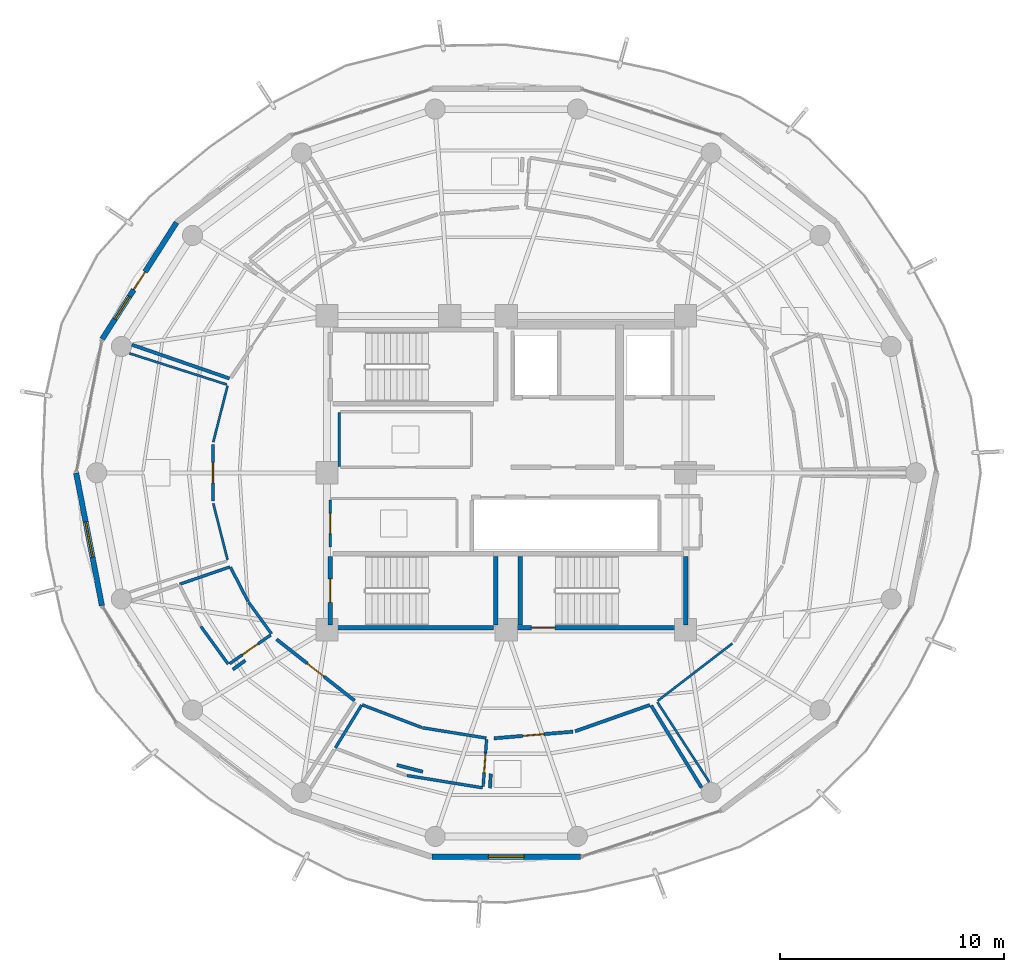
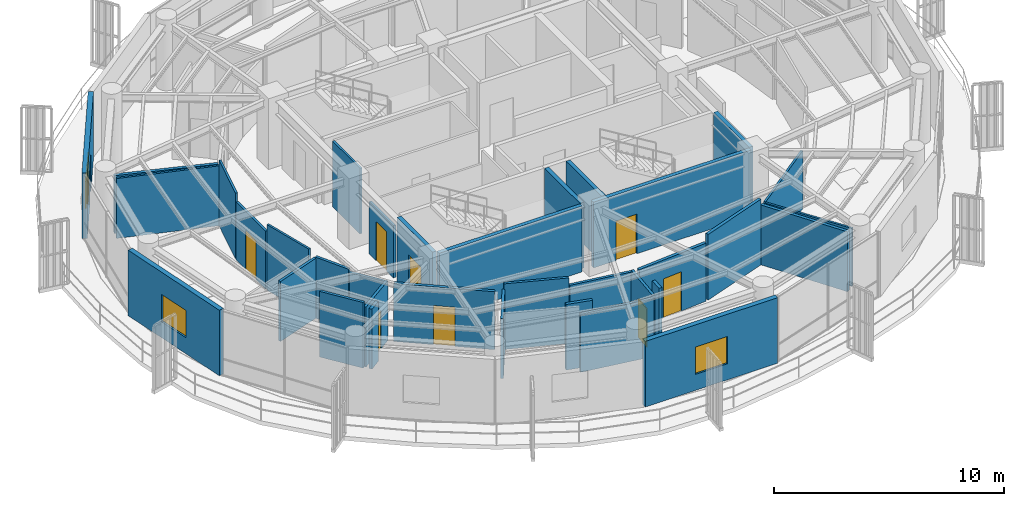
# One storey, part 15 of 22: 35 walls, 9 doors, 3 windows, 12 openings.
"""IFC4 building model written with IfcOpenShell, lengths in metres."""

from ifc_helpers import new_model, si_unit, direction, frame, frame_2d, origin, place, context, subcontext, project, spatial, rectangle, extrude, material, layer, layer_set, type_object, element, fill, save


model = new_model("IFC4")

# Units and contexts
model_context = context("Model", 3, precision=1e-05, world=origin(), true_north=direction((0.0, 1.0)))
body_context = subcontext(model_context, "Body", "Model", "MODEL_VIEW")
ifc_project = project(units=[si_unit("LENGTHUNIT", "METRE"), si_unit("AREAUNIT", "SQUARE_METRE"), si_unit("VOLUMEUNIT", "CUBIC_METRE"), si_unit("PLANEANGLEUNIT", "RADIAN"), si_unit("MASSUNIT", "GRAM", prefix="KILO")], contexts=[model_context])

# Site, building, storey
site_placement = place(None, origin())
site = spatial("IfcSite", under=ifc_project, at=site_placement, CompositionType="ELEMENT")
building_placement = place(site_placement, origin())
building = spatial("IfcBuilding", under=site, at=building_placement, Name="Kelanora Arch Commons", CompositionType="ELEMENT")
storey_placement = place(building_placement, frame((0.0, 0.0, 271.199951171875)))
storey = spatial("IfcBuildingStorey", under=building, at=storey_placement, Name="L69", CompositionType="ELEMENT", Elevation=271.199951171875)

# Wall, opening, door
ifc_material_1 = material(Name="Autoclaved aerated concrete blockwork with fire plaster", Category="masonry")
ifc_layer_1 = layer(ifc_material_1, 0.14990234375)
ifc_layer_set_1 = layer_set([ifc_layer_1], Name="Autoclaved aerated concrete blockwork with fire plaster")
wall_type_1 = type_object("IfcWallType", Name="W-COMP-150", PredefinedType="PARTITIONING", material=ifc_layer_set_1)
wall_1_placement = place(storey_placement, frame((63.7451171875, 50.56787109375, 0.0), z_axis=(0.0, 0.0, 1.0), x_axis=(0.786354671358, -0.617775307724, 0.0)))
wall_1 = element("IfcWall", 1, at=wall_1_placement, inside=storey, type_object=wall_type_1, Name="Co-Living Studio L69-04 Entry Partition", PredefinedType="PARTITIONING", context=body_context, shape_type="SweptSolid", body=[
    extrude(rectangle(XDim=4.43017578125, YDim=0.14990234375, at=frame_2d((2.215087890625, 0.0))), origin(), (0.0, 0.0, 1.0), 3.074951171875),
])
opening_1_placement = place(wall_1_placement, frame((1.739990234375, 0.0, 0.0)))
opening_1 = element("IfcOpeningElement", 2, at=opening_1_placement, cuts=wall_1, Name="Opening D-CLU1", PredefinedType="OPENING", context=body_context, shape_type="SweptSolid", body=[
    extrude(rectangle(XDim=0.949951171875, YDim=2.080078125, at=frame_2d((0.47509765625, 1.0400390625))), frame((0.0, 0.0849609375, 0.0), z_axis=(0.0, -1.0, 0.0), x_axis=(1.0, 0.0, 0.0)), (0.0, 0.0, 1.0), 0.169921875),
])
ifc_material_2 = material(Name="Solid-core acoustic timber cluster entry fire door", Category="wood")
door_type_1 = type_object("IfcDoorType", Name="D-CLU-95", OperationType="NOTDEFINED", PredefinedType="DOOR", material=ifc_material_2)
door_1_placement = place(opening_1_placement, origin())
door_1 = element("IfcDoor", 3, at=door_1_placement, inside=storey, type_object=door_type_1, Name="Co-Living Studio L69-04 Door", OperationType="SINGLE_SWING_RIGHT", OverallHeight=2.080078125, OverallWidth=0.949951171875, PredefinedType="DOOR", context=body_context, shape_type="SweptSolid", body=[
    extrude(rectangle(XDim=0.949951171875, YDim=2.080078125, at=frame_2d((0.47509765625, 1.0400390625))), frame((0.0, 0.02490234375, 0.0), z_axis=(0.0, -1.0, 0.0), x_axis=(1.0, 0.0, 0.0)), (0.0, 0.0, 1.0), 0.050048828125),
])
fill(opening_1, door_1)

wall_2_placement = place(storey_placement, frame((73.44677734375, 46.14794921875, 0.0), z_axis=(0.0, 0.0, 1.0), x_axis=(0.996494196011, 0.083661922741, 0.0)))
wall_2 = element("IfcWall", 4, at=wall_2_placement, inside=storey, type_object=wall_type_1, Name="Co-Living Studio L69-05 Entry Partition", PredefinedType="PARTITIONING", context=body_context, shape_type="SweptSolid", body=[
    extrude(rectangle(XDim=3.539794921875, YDim=0.14990234375, at=frame_2d((1.77001953125, 0.0))), origin(), (0.0, 0.0, 1.0), 3.074951171875),
])
opening_2_placement = place(wall_2_placement, frame((1.294921875, 0.0, 0.0)))
opening_2 = element("IfcOpeningElement", 5, at=opening_2_placement, cuts=wall_2, Name="Opening D-CLU1", PredefinedType="OPENING", context=body_context, shape_type="SweptSolid", body=[
    extrude(rectangle(XDim=0.949951171875, YDim=2.080078125, at=frame_2d((0.47509765625, 1.0400390625))), frame((0.0, 0.0849609375, 0.0), z_axis=(0.0, -1.0, 0.0), x_axis=(1.0, 0.0, 0.0)), (0.0, 0.0, 1.0), 0.169921875),
])
door_2_placement = place(opening_2_placement, origin())
door_2 = element("IfcDoor", 6, at=door_2_placement, inside=storey, type_object=door_type_1, Name="Co-Living Studio L69-05 Door", OperationType="SINGLE_SWING_RIGHT", OverallHeight=2.080078125, OverallWidth=0.949951171875, PredefinedType="DOOR", context=body_context, shape_type="SweptSolid", body=[
    extrude(rectangle(XDim=0.949951171875, YDim=2.080078125, at=frame_2d((0.47509765625, 1.0400390625))), frame((0.0, 0.02490234375, 0.0), z_axis=(0.0, -1.0, 0.0), x_axis=(1.0, 0.0, 0.0)), (0.0, 0.0, 1.0), 0.050048828125),
])
fill(opening_2, door_2)

# Walls
wall_3_placement = place(storey_placement, frame((61.64208984375, 62.208984375, 0.0), z_axis=(0.0, 0.0, 1.0), x_axis=(-0.945103281494, 0.326771766388, 0.0)))
element("IfcWall", 7, at=wall_3_placement, inside=storey, type_object=wall_type_1, Name="Co-Living Studio L69-02 Enclosure Partition 2", PredefinedType="PARTITIONING", context=body_context, shape_type="SweptSolid", body=[
    extrude(rectangle(XDim=4.603759765625, YDim=0.14990234375, at=frame_2d((2.3017578125, 0.0))), origin(), (0.0, 0.0, 1.0), 3.074951171875),
])
wall_4_placement = place(storey_placement, frame((61.79541015625, 49.218505859375, 0.0), z_axis=(0.0, 0.0, 1.0), x_axis=(0.808091885227, 0.589056453178, 0.0)))
element("IfcWall", 8, at=wall_4_placement, inside=storey, type_object=wall_type_1, Name="Co-Living Studio L69-04 Enclosure Partition 7", PredefinedType="PARTITIONING", context=body_context, shape_type="SweptSolid", body=[
    extrude(rectangle(XDim=0.688720703125, YDim=0.14990234375, at=frame_2d((0.34423828125, 0.0))), origin(), (0.0, 0.0, 1.0), 3.175048828125),
])
wall_5_placement = place(storey_placement, frame((77.07177734375, 46.46240234375, 0.0), z_axis=(0.0, 0.0, 1.0), x_axis=(0.943334007166, 0.331844769319, 0.0)))
element("IfcWall", 9, at=wall_5_placement, inside=storey, type_object=wall_type_1, Name="Co-Living Studio L69-05 Enclosure Partition 2", PredefinedType="PARTITIONING", context=body_context, shape_type="SweptSolid", body=[
    extrude(rectangle(XDim=3.535888671875, YDim=0.14990234375, at=frame_2d((1.76806640625, 0.0))), origin(), (0.0, 0.0, 1.0), 3.47998046875),
])
wall_6_placement = place(storey_placement, frame((80.4658203125, 47.614990234375, 0.0), z_axis=(0.0, 0.0, 1.0), x_axis=(0.522784059663, -0.852465147066, 0.0)))
element("IfcWall", 10, at=wall_6_placement, inside=storey, type_object=wall_type_1, Name="Co-Living Studio L69-05 Enclosure Partition 3", PredefinedType="PARTITIONING", context=body_context, shape_type="SweptSolid", body=[
    extrude(rectangle(XDim=4.30615234375, YDim=0.14990234375, at=frame_2d((2.153076171875, 0.0))), origin(), (0.0, 0.0, 1.0), 3.175048828125),
])
wall_7_placement = place(storey_placement, frame((69.117431640625, 44.956298828125, 0.0), z_axis=(0.0, 0.0, 1.0), x_axis=(0.968105115077, -0.250544379624, 0.0)))
element("IfcWall", 11, at=wall_7_placement, inside=storey, type_object=wall_type_1, Name="Co-Living Studio L69-05 Enclosure Partition 7", PredefinedType="PARTITIONING", context=body_context, shape_type="SweptSolid", body=[
    extrude(rectangle(XDim=1.196533203125, YDim=0.14990234375, at=frame_2d((0.59814453125, 0.0))), origin(), (0.0, 0.0, 1.0), 3.47998046875),
])
wall_8_placement = place(storey_placement, frame((73.27392578125, 43.9208984375, 0.0), z_axis=(0.0, 0.0, 1.0), x_axis=(0.050992575405, 0.998699032368, 0.0)))
element("IfcWall", 12, at=wall_8_placement, inside=storey, type_object=wall_type_1, Name="Co-Living Studio L69-05 Enclosure Partition 8", PredefinedType="PARTITIONING", context=body_context, shape_type="SweptSolid", body=[
    extrude(rectangle(XDim=0.646240234375, YDim=0.14990234375, at=frame_2d((0.3232421875, 0.0))), origin(), (0.0, 0.0, 1.0), 3.47998046875),
])

# Wall, openings, door, window
ifc_material_3 = material(Name="Precast concrete C40/50 upper-zone terracotta rainscreen", Category="masonry")
ifc_layer_2 = layer(ifc_material_3, 0.239990234375)
ifc_layer_set_2 = layer_set([ifc_layer_2], Name="Precast concrete C40/50 upper-zone terracotta rainscreen")
wall_type_2 = type_object("IfcWallType", Name="W-EXT-TC2", PredefinedType="SOLIDWALL", material=ifc_layer_set_2)
wall_9_placement = place(storey_placement, frame((59.28369140625, 69.171875, 0.0), z_axis=(0.0, 0.0, 1.0), x_axis=(-0.537271968456, -0.843409053728, 0.0)))
wall_9 = element("IfcWall", 13, at=wall_9_placement, inside=storey, type_object=wall_type_2, Name="Terracotta Exterior Wall L69-B07", PredefinedType="SOLIDWALL", context=body_context, shape_type="SweptSolid", body=[
    extrude(rectangle(XDim=6.175048828125, YDim=0.239990234375, at=frame_2d((3.08740234375, 0.0))), origin(), (0.0, 0.0, 1.0), 3.47509765625),
])
opening_3_placement = place(wall_9_placement, frame((2.613037109375, 0.0, 0.0)))
opening_3 = element("IfcOpeningElement", 14, at=opening_3_placement, cuts=wall_9, Name="Opening DB-01", PredefinedType="OPENING", context=body_context, shape_type="SweptSolid", body=[
    extrude(rectangle(XDim=0.949951171875, YDim=2.10009765625, at=frame_2d((0.47509765625, 1.050048828125))), frame((0.0, 0.1298828125, 0.0), z_axis=(0.0, -1.0, 0.0), x_axis=(1.0, 0.0, 0.0)), (0.0, 0.0, 1.0), 0.260009765625),
])
opening_4_placement = place(wall_9_placement, frame((3.9130859375, 0.0, 0.85009765625)))
opening_4 = element("IfcOpeningElement", 15, at=opening_4_placement, cuts=wall_9, Name="Opening WN-02", PredefinedType="OPENING", context=body_context, shape_type="SweptSolid", body=[
    extrude(rectangle(XDim=1.199951171875, YDim=1.449951171875, at=frame_2d((0.60009765625, 0.72509765625))), frame((0.0, 0.1298828125, 0.0), z_axis=(0.0, -1.0, 0.0), x_axis=(1.0, 0.0, 0.0)), (0.0, 0.0, 1.0), 0.260009765625),
])
ifc_material_4 = material(Name="Terracotta-aluminium thermally broken glazed balcony door", Category="masonry")
door_type_2 = type_object("IfcDoorType", Name="D-BAL-10", OperationType="NOTDEFINED", PredefinedType="DOOR", material=ifc_material_4)
door_3_placement = place(opening_3_placement, frame((0.949951171875, 0.0, 0.0), z_axis=(0.0, 0.0, 1.0), x_axis=(-1.0, 0.0, 0.0)))
door_3 = element("IfcDoor", 16, at=door_3_placement, inside=storey, type_object=door_type_2, Name="Wave Balcony Door L69-B07", OperationType="SINGLE_SWING_LEFT", OverallHeight=2.10009765625, OverallWidth=0.949951171875, PredefinedType="DOOR", context=body_context, shape_type="SweptSolid", body=[
    extrude(rectangle(XDim=0.949951171875, YDim=2.10009765625, at=frame_2d((0.47509765625, 1.050048828125))), frame((0.0, 0.02490234375, 0.0), z_axis=(0.0, -1.0, 0.0), x_axis=(1.0, 0.0, 0.0)), (0.0, 0.0, 1.0), 0.050048828125),
])
fill(opening_3, door_3)
ifc_material_5 = material(Name="Terracotta-anodised aluminium frame with operable awning sash", Category="masonry")
window_type_1 = type_object("IfcWindowType", Name="WIN-CL-12", PartitioningType="SINGLE_PANEL", PredefinedType="WINDOW", material=ifc_material_5)
window_1_placement = place(opening_4_placement, origin())
window_1 = element("IfcWindow", 17, at=window_1_placement, inside=storey, type_object=window_type_1, Name="Co-Living Operable Window L69-B07", OverallHeight=1.449951171875, OverallWidth=1.199951171875, PartitioningType="SINGLE_PANEL", PredefinedType="WINDOW", context=body_context, shape_type="SweptSolid", body=[
    extrude(rectangle(XDim=1.199951171875, YDim=1.449951171875, at=frame_2d((0.60009765625, 0.72509765625))), frame((0.0, 0.030029296875, 0.0), z_axis=(0.0, -1.0, 0.0), x_axis=(1.0, 0.0, 0.0)), (0.0, 0.0, 1.0), 0.06005859375),
])
fill(opening_4, window_1)

# Wall, opening, window
wall_10_placement = place(storey_placement, frame((54.802978515625, 57.9853515625, 0.0), z_axis=(0.0, 0.0, 1.0), x_axis=(0.190969309115, -0.981596008028, 0.0)))
wall_10 = element("IfcWall", 18, at=wall_10_placement, inside=storey, type_object=wall_type_2, Name="Terracotta Exterior Wall L69-B09", PredefinedType="SOLIDWALL", context=body_context, shape_type="SweptSolid", body=[
    extrude(rectangle(XDim=6.032958984375, YDim=0.239990234375, at=frame_2d((3.0166015625, 0.0))), origin(), (0.0, 0.0, 1.0), 3.47509765625),
])
opening_5_placement = place(wall_10_placement, frame((2.216064453125, 0.0, 0.85009765625)))
opening_5 = element("IfcOpeningElement", 19, at=opening_5_placement, cuts=wall_10, Name="Opening WN-01", PredefinedType="OPENING", context=body_context, shape_type="SweptSolid", body=[
    extrude(rectangle(XDim=1.60009765625, YDim=1.449951171875, at=frame_2d((0.800048828125, 0.72509765625))), frame((0.0, 0.1298828125, 0.0), z_axis=(0.0, -1.0, 0.0), x_axis=(1.0, 0.0, 0.0)), (0.0, 0.0, 1.0), 0.260009765625),
])
ifc_material_6 = material(Name="Terracotta-anodised aluminium frame with operable low-E glazing", Category="masonry")
window_type_2 = type_object("IfcWindowType", Name="WIN-CL-18", PartitioningType="DOUBLE_PANEL_VERTICAL", PredefinedType="WINDOW", material=ifc_material_6)
window_2_placement = place(opening_5_placement, origin())
window_2 = element("IfcWindow", 20, at=window_2_placement, inside=storey, type_object=window_type_2, Name="Co-Living Operable Window L69-B09", OverallHeight=1.449951171875, OverallWidth=1.60009765625, PartitioningType="SINGLE_PANEL", PredefinedType="WINDOW", context=body_context, shape_type="SweptSolid", body=[
    extrude(rectangle(XDim=1.60009765625, YDim=1.449951171875, at=frame_2d((0.800048828125, 0.72509765625))), frame((0.0, 0.030029296875, 0.0), z_axis=(0.0, -1.0, 0.0), x_axis=(1.0, 0.0, 0.0)), (0.0, 0.0, 1.0), 0.06005859375),
])
fill(opening_5, window_2)

wall_11_placement = place(storey_placement, frame((70.680908203125, 40.8642578125, 0.0), z_axis=(0.0, 0.0, 1.0), x_axis=(1.0, 0.0, 0.0)))
wall_11 = element("IfcWall", 21, at=wall_11_placement, inside=storey, type_object=wall_type_2, Name="Terracotta Exterior Wall L69-B13", PredefinedType="SOLIDWALL", context=body_context, shape_type="SweptSolid", body=[
    extrude(rectangle(XDim=6.63818359375, YDim=0.239990234375, at=frame_2d((3.319091796875, 0.0))), origin(), (0.0, 0.0, 1.0), 3.47509765625),
])
opening_6_placement = place(wall_11_placement, frame((2.51904296875, 0.0, 0.85009765625)))
opening_6 = element("IfcOpeningElement", 22, at=opening_6_placement, cuts=wall_11, Name="Opening WN-01", PredefinedType="OPENING", context=body_context, shape_type="SweptSolid", body=[
    extrude(rectangle(XDim=1.60009765625, YDim=1.449951171875, at=frame_2d((0.800048828125, 0.72509765625))), frame((0.0, 0.1298828125, 0.0), z_axis=(0.0, -1.0, 0.0), x_axis=(1.0, 0.0, 0.0)), (0.0, 0.0, 1.0), 0.260009765625),
])
window_3_placement = place(opening_6_placement, origin())
window_3 = element("IfcWindow", 23, at=window_3_placement, inside=storey, type_object=window_type_2, Name="Co-Living Operable Window L69-B13", OverallHeight=1.449951171875, OverallWidth=1.60009765625, PartitioningType="SINGLE_PANEL", PredefinedType="WINDOW", context=body_context, shape_type="SweptSolid", body=[
    extrude(rectangle(XDim=1.60009765625, YDim=1.449951171875, at=frame_2d((0.800048828125, 0.72509765625))), frame((0.0, 0.030029296875, 0.0), z_axis=(0.0, -1.0, 0.0), x_axis=(1.0, 0.0, 0.0)), (0.0, 0.0, 1.0), 0.06005859375),
])
fill(opening_6, window_3)

# Walls
ifc_material_7 = material(Name="Lightweight fire-rated acoustic stud partition")
ifc_layer_3 = layer(ifc_material_7, 0.10009765625)
ifc_layer_set_3 = layer_set([ifc_layer_3], Name="Lightweight fire-rated acoustic stud partition")
wall_type_3 = type_object("IfcWallType", Name="W-PART-100", PredefinedType="PARTITIONING", material=ifc_layer_set_3)
wall_12_placement = place(storey_placement, frame((66.550048828125, 60.679931640625, 0.0), z_axis=(0.0, 0.0, 1.0), x_axis=(0.0, -1.0, 0.0)))
element("IfcWall", 24, at=wall_12_placement, inside=storey, type_object=wall_type_3, Name="Reclaimed Core Study Pod Lounge L69 Enclosure Partition 4", PredefinedType="PARTITIONING", context=body_context, shape_type="SweptSolid", body=[
    extrude(rectangle(XDim=2.389892578125, YDim=0.10009765625, at=frame_2d((1.19482421875, 0.0))), origin(), (0.0, 0.0, 1.0), 3.47998046875),
])
for number, where, z_axis, x_axis, name in (
    (25, (61.560302734375, 61.88427734375, 0.0), (0.0, 0.0, 1.0), (-0.245655775867, -0.969357127061, 0.0), "Social Sky Lounge L69-03 Enclosure Partition 1"),
    (26, (60.9228515625, 56.631103515625, 0.0), (0.0, 0.0, 1.0), (0.245655775867, -0.969357127061, 0.0), "Social Sky Lounge L69-03 Enclosure Partition 3"),
):
    element("IfcWall", number, at=place(storey_placement, frame(where, z_axis=z_axis, x_axis=x_axis)), inside=storey, type_object=wall_type_3, Name=name, PredefinedType="PARTITIONING", context=body_context, shape_type="SweptSolid", body=[
        extrude(rectangle(XDim=2.594970703125, YDim=0.10009765625, at=frame_2d((1.29736328125, 0.0))), origin(), (0.0, 0.0, 1.0), 3.47998046875),
    ])
wall_13_placement = place(storey_placement, frame((57.184326171875, 63.328857421875, 0.0), z_axis=(0.0, 0.0, 1.0), x_axis=(0.95227750557, -0.305233602976, 0.0)))
element("IfcWall", 27, at=wall_13_placement, inside=storey, type_object=wall_type_3, Name="Social Sky Lounge L69-03 Enclosure Partition 8", PredefinedType="PARTITIONING", context=body_context, shape_type="SweptSolid", body=[
    extrude(rectangle(XDim=4.5654296875, YDim=0.10009765625, at=frame_2d((2.28271484375, 0.0))), origin(), (0.0, 0.0, 1.0), 3.175048828125),
])
wall_14_placement = place(storey_placement, frame((80.755615234375, 47.818359375, 0.0), z_axis=(0.0, 0.0, 1.0), x_axis=(0.792820246885, 0.609455540733, 0.0)))
element("IfcWall", 28, at=wall_14_placement, inside=storey, type_object=wall_type_3, Name="Quiet Seminar Study Room L69-06 Enclosure Partition 1", PredefinedType="PARTITIONING", context=body_context, shape_type="SweptSolid", body=[
    extrude(rectangle(XDim=4.207275390625, YDim=0.10009765625, at=frame_2d((2.103515625, 0.0))), origin(), (0.0, 0.0, 1.0), 3.074951171875),
])
wall_15_placement = place(storey_placement, frame((83.058349609375, 44.19580078125, 0.0), z_axis=(0.0, 0.0, 1.0), x_axis=(-0.544234825024, 0.838932926539, 0.0)))
element("IfcWall", 29, at=wall_15_placement, inside=storey, type_object=wall_type_3, Name="Quiet Seminar Study Room L69-06 Enclosure Partition 8", PredefinedType="PARTITIONING", context=body_context, shape_type="SweptSolid", body=[
    extrude(rectangle(XDim=4.2490234375, YDim=0.10009765625, at=frame_2d((2.12451171875, 0.0))), origin(), (0.0, 0.0, 1.0), 3.074951171875),
])

# Wall, opening, door
ifc_material_8 = material(Name="Acoustic twin-stud fire-rated gypsum partition")
ifc_layer_4 = layer(ifc_material_8, 0.1201171875)
ifc_layer_set_4 = layer_set([ifc_layer_4], Name="Acoustic twin-stud fire-rated gypsum partition")
wall_type_4 = type_object("IfcWallType", Name="W-PART-120", PredefinedType="PARTITIONING", material=ifc_layer_set_4)
wall_16_placement = place(storey_placement, frame((66.14990234375, 54.679931640625, 0.0), z_axis=(0.0, 0.0, 1.0), x_axis=(0.0, 1.0, 0.0)))
wall_16 = element("IfcWall", 30, at=wall_16_placement, inside=storey, type_object=wall_type_4, Name="Reclaimed Core High-Zone Pantry and Copy Room L69 Entry Partition", PredefinedType="PARTITIONING", context=body_context, shape_type="SweptSolid", body=[
    extrude(rectangle(XDim=2.110107421875, YDim=0.1201171875, at=frame_2d((1.05517578125, 0.0))), origin(), (0.0, 0.0, 1.0), 2.775146484375),
])
opening_7_placement = place(wall_16_placement, frame((0.60498046875, 0.0, 0.0)))
opening_7 = element("IfcOpeningElement", 31, at=opening_7_placement, cuts=wall_16, Name="Opening D-RM1", PredefinedType="OPENING", context=body_context, shape_type="SweptSolid", body=[
    extrude(rectangle(XDim=0.89990234375, YDim=2.080078125, at=frame_2d((0.449951171875, 1.0400390625))), frame((0.0, 0.070068359375, 0.0), z_axis=(0.0, -1.0, 0.0), x_axis=(1.0, 0.0, 0.0)), (0.0, 0.0, 1.0), 0.14013671875),
])
ifc_material_9 = material(Name="Acoustic fire-rated timber study and lounge door", Category="wood")
door_type_3 = type_object("IfcDoorType", Name="D-ROOM-90", OperationType="NOTDEFINED", PredefinedType="DOOR", material=ifc_material_9)
door_4_placement = place(opening_7_placement, origin())
door_4 = element("IfcDoor", 32, at=door_4_placement, inside=storey, type_object=door_type_3, Name="Reclaimed Core High-Zone Pantry and Copy Room L69 Door", OperationType="SINGLE_SWING_LEFT", OverallHeight=2.080078125, OverallWidth=0.89990234375, PredefinedType="DOOR", context=body_context, shape_type="SweptSolid", body=[
    extrude(rectangle(XDim=0.89990234375, YDim=2.080078125, at=frame_2d((0.449951171875, 1.0400390625))), frame((0.0, 0.02490234375, 0.0), z_axis=(0.0, -1.0, 0.0), x_axis=(1.0, 0.0, 0.0)), (0.0, 0.0, 1.0), 0.050048828125),
])
fill(opening_7, door_4)

wall_17_placement = place(storey_placement, frame((60.9130859375, 59.27001953125, 0.0), z_axis=(0.0, 0.0, 1.0), x_axis=(0.0, -1.0, 0.0)))
wall_17 = element("IfcWall", 33, at=wall_17_placement, inside=storey, type_object=wall_type_4, Name="Social Sky Lounge L69-03 Entry Partition", PredefinedType="PARTITIONING", context=body_context, shape_type="SweptSolid", body=[
    extrude(rectangle(XDim=2.5400390625, YDim=0.1201171875, at=frame_2d((1.27001953125, 0.0))), origin(), (0.0, 0.0, 1.0), 3.074951171875),
])
opening_8_placement = place(wall_17_placement, frame((0.820068359375, 0.0, 0.0)))
opening_8 = element("IfcOpeningElement", 34, at=opening_8_placement, cuts=wall_17, Name="Opening D-RM1", PredefinedType="OPENING", context=body_context, shape_type="SweptSolid", body=[
    extrude(rectangle(XDim=0.89990234375, YDim=2.080078125, at=frame_2d((0.449951171875, 1.0400390625))), frame((0.0, 0.070068359375, 0.0), z_axis=(0.0, -1.0, 0.0), x_axis=(1.0, 0.0, 0.0)), (0.0, 0.0, 1.0), 0.14013671875),
])
door_5_placement = place(opening_8_placement, origin())
door_5 = element("IfcDoor", 35, at=door_5_placement, inside=storey, type_object=door_type_3, Name="Social Sky Lounge L69-03 Door", OperationType="SINGLE_SWING_RIGHT", OverallHeight=2.080078125, OverallWidth=0.89990234375, PredefinedType="DOOR", context=body_context, shape_type="SweptSolid", body=[
    extrude(rectangle(XDim=0.89990234375, YDim=2.080078125, at=frame_2d((0.449951171875, 1.0400390625))), frame((0.0, 0.02490234375, 0.0), z_axis=(0.0, -1.0, 0.0), x_axis=(1.0, 0.0, 0.0)), (0.0, 0.0, 1.0), 0.050048828125),
])
fill(opening_8, door_5)

ifc_material_10 = material(Name="Concrete C40/50", Category="concrete")
ifc_layer_5 = layer(ifc_material_10, 0.199951171875)
ifc_layer_set_5 = layer_set([ifc_layer_5], Name="Concrete C40/50")
wall_type_5 = type_object("IfcWallType", Name="W-STAIR-200", PredefinedType="SHEAR", material=ifc_layer_set_5)
wall_18_placement = place(storey_placement, frame((74.0, 51.080078125, 0.0), z_axis=(0.0, 0.0, 1.0), x_axis=(1.0, 0.0, 0.0)))
wall_18 = element("IfcWall", 36, at=wall_18_placement, inside=storey, type_object=wall_type_5, Name="Stair ST-T2 Shaft Wall S L69", PredefinedType="SHEAR", context=body_context, shape_type="SweptSolid", body=[
    extrude(rectangle(XDim=7.89990234375, YDim=0.199951171875, at=frame_2d((3.949951171875, 0.0))), origin(), (0.0, 0.0, 1.0), 3.489990234375),
])
opening_9_placement = place(wall_18_placement, frame((1.1201171875, 0.0, 0.0)))
opening_9 = element("IfcOpeningElement", 37, at=opening_9_placement, cuts=wall_18, Name="Opening D-ST1", PredefinedType="OPENING", context=body_context, shape_type="SweptSolid", body=[
    extrude(rectangle(XDim=1.050048828125, YDim=2.10009765625, at=frame_2d((0.52490234375, 1.050048828125))), frame((0.0, 0.10986328125, 0.0), z_axis=(0.0, -1.0, 0.0), x_axis=(1.0, 0.0, 0.0)), (0.0, 0.0, 1.0), 0.219970703125),
])
ifc_material_11 = material(Name="Steel fire-rated stairwell escape door", Category="steel")
door_type_4 = type_object("IfcDoorType", Name="D-STAIR-110", OperationType="NOTDEFINED", PredefinedType="DOOR", material=ifc_material_11)
door_6_placement = place(opening_9_placement, origin())
door_6 = element("IfcDoor", 38, at=door_6_placement, inside=storey, type_object=door_type_4, Name="Stair ST-T2 Escape Door L69", OperationType="SINGLE_SWING_LEFT", OverallHeight=2.10009765625, OverallWidth=1.050048828125, PredefinedType="DOOR", context=body_context, shape_type="SweptSolid", body=[
    extrude(rectangle(XDim=1.050048828125, YDim=2.10009765625, at=frame_2d((0.52490234375, 1.050048828125))), frame((0.0, 0.02490234375, 0.0), z_axis=(0.0, -1.0, 0.0), x_axis=(1.0, 0.0, 0.0)), (0.0, 0.0, 1.0), 0.050048828125),
])
fill(opening_9, door_6)

# Walls
for number, where, z_axis, x_axis, name in (
    (39, (82.02001953125, 51.199951171875, 0.0), (0.0, 0.0, 1.0), (0.0, 1.0, 0.0), "Stair ST-T2 Shaft Wall E L69"),
    (40, (74.6201171875, 54.27001953125, 0.0), (0.0, 0.0, 1.0), (0.0, -1.0, 0.0), "Stair ST-T2 Shaft Wall W L69"),
):
    element("IfcWall", number, at=place(storey_placement, frame(where, z_axis=z_axis, x_axis=x_axis)), inside=storey, type_object=wall_type_5, Name=name, PredefinedType="SHEAR", context=body_context, shape_type="SweptSolid", body=[
        extrude(rectangle(XDim=3.070068359375, YDim=0.199951171875, at=frame_2d((1.53515625, 0.0))), origin(), (0.0, 0.0, 1.0), 3.489990234375),
    ])
wall_19_placement = place(storey_placement, frame((66.260009765625, 51.080078125, 0.0), z_axis=(0.0, 0.0, 1.0), x_axis=(1.0, 0.0, 0.0)))
element("IfcWall", 41, at=wall_19_placement, inside=storey, type_object=wall_type_5, Name="Stair ST-T3 Shaft Wall S L69", PredefinedType="SHEAR", context=body_context, shape_type="SweptSolid", body=[
    extrude(rectangle(XDim=7.159912109375, YDim=0.199951171875, at=frame_2d((3.580078125, 0.0))), origin(), (0.0, 0.0, 1.0), 3.489990234375),
])
wall_20_placement = place(storey_placement, frame((73.5400390625, 51.199951171875, 0.0), z_axis=(0.0, 0.0, 1.0), x_axis=(0.0, 1.0, 0.0)))
element("IfcWall", 42, at=wall_20_placement, inside=storey, type_object=wall_type_5, Name="Stair ST-T3 Shaft Wall E L69", PredefinedType="SHEAR", context=body_context, shape_type="SweptSolid", body=[
    extrude(rectangle(XDim=3.070068359375, YDim=0.199951171875, at=frame_2d((1.53515625, 0.0))), origin(), (0.0, 0.0, 1.0), 3.489990234375),
])

# Wall, opening, door
wall_21_placement = place(storey_placement, frame((66.139892578125, 54.27001953125, 0.0), z_axis=(0.0, 0.0, 1.0), x_axis=(0.0, -1.0, 0.0)))
wall_21 = element("IfcWall", 43, at=wall_21_placement, inside=storey, type_object=wall_type_5, Name="Stair ST-T3 Shaft Wall W L69", PredefinedType="SHEAR", context=body_context, shape_type="SweptSolid", body=[
    extrude(rectangle(XDim=3.070068359375, YDim=0.199951171875, at=frame_2d((1.53515625, 0.0))), origin(), (0.0, 0.0, 1.0), 3.489990234375),
])
opening_10_placement = place(wall_21_placement, frame((1.010009765625, 0.0, 0.0)))
opening_10 = element("IfcOpeningElement", 44, at=opening_10_placement, cuts=wall_21, Name="Opening D-ST1", PredefinedType="OPENING", context=body_context, shape_type="SweptSolid", body=[
    extrude(rectangle(XDim=1.050048828125, YDim=2.10009765625, at=frame_2d((0.52490234375, 1.050048828125))), frame((0.0, 0.10986328125, 0.0), z_axis=(0.0, -1.0, 0.0), x_axis=(1.0, 0.0, 0.0)), (0.0, 0.0, 1.0), 0.219970703125),
])
door_7_placement = place(opening_10_placement, origin())
door_7 = element("IfcDoor", 45, at=door_7_placement, inside=storey, type_object=door_type_4, Name="Stair ST-T3 Escape Door L69", OperationType="SINGLE_SWING_LEFT", OverallHeight=2.10009765625, OverallWidth=1.050048828125, PredefinedType="DOOR", context=body_context, shape_type="SweptSolid", body=[
    extrude(rectangle(XDim=1.050048828125, YDim=2.10009765625, at=frame_2d((0.52490234375, 1.050048828125))), frame((0.0, 0.02490234375, 0.0), z_axis=(0.0, -1.0, 0.0), x_axis=(1.0, 0.0, 0.0)), (0.0, 0.0, 1.0), 0.050048828125),
])
fill(opening_10, door_7)

ifc_material_12 = material(Name="Moisture-resistant fire-rated cement-board plumbing wall")
ifc_layer_6 = layer(ifc_material_12, 0.1298828125)
ifc_layer_set_6 = layer_set([ifc_layer_6], Name="Moisture-resistant fire-rated cement-board plumbing wall")
wall_type_6 = type_object("IfcWallType", Name="W-WET-120", PredefinedType="PLUMBINGWALL", material=ifc_layer_set_6)
wall_22_placement = place(storey_placement, frame((63.48583984375, 50.7587890625, 0.0), z_axis=(0.0, 0.0, 1.0), x_axis=(-0.819963878171, -0.572415267525, 0.0)))
wall_22 = element("IfcWall", 46, at=wall_22_placement, inside=storey, type_object=wall_type_6, Name="En-Suite Shower WC L69-04 Entry Partition", PredefinedType="PLUMBINGWALL", context=body_context, shape_type="SweptSolid", body=[
    extrude(rectangle(XDim=2.23876953125, YDim=0.1298828125, at=frame_2d((1.119384765625, 0.0))), origin(), (0.0, 0.0, 1.0), 3.175048828125),
])
opening_11_placement = place(wall_22_placement, frame((0.68896484375, 0.0, 0.0)))
opening_11 = element("IfcOpeningElement", 47, at=opening_11_placement, cuts=wall_22, Name="Opening D-BT1", PredefinedType="OPENING", context=body_context, shape_type="SweptSolid", body=[
    extrude(rectangle(XDim=0.860107421875, YDim=2.050048828125, at=frame_2d((0.43017578125, 1.02490234375))), frame((0.0, 0.074951171875, 0.0), z_axis=(0.0, -1.0, 0.0), x_axis=(1.0, 0.0, 0.0)), (0.0, 0.0, 1.0), 0.14990234375),
])
ifc_material_13 = material(Name="Moisture-sealed fire-rated accessible bathroom door")
door_type_5 = type_object("IfcDoorType", Name="D-BATH-85", OperationType="NOTDEFINED", PredefinedType="DOOR", material=ifc_material_13)
door_8_placement = place(opening_11_placement, origin())
door_8 = element("IfcDoor", 48, at=door_8_placement, inside=storey, type_object=door_type_5, Name="En-Suite Shower WC L69-04 Door", OperationType="SINGLE_SWING_LEFT", OverallHeight=2.050048828125, OverallWidth=0.860107421875, PredefinedType="DOOR", context=body_context, shape_type="SweptSolid", body=[
    extrude(rectangle(XDim=0.860107421875, YDim=2.050048828125, at=frame_2d((0.43017578125, 1.02490234375))), frame((0.0, 0.02490234375, 0.0), z_axis=(0.0, -1.0, 0.0), x_axis=(1.0, 0.0, 0.0)), (0.0, 0.0, 1.0), 0.050048828125),
])
fill(opening_11, door_8)

wall_23_placement = place(storey_placement, frame((73.11962890625, 46.09619140625, 0.0), z_axis=(0.0, 0.0, 1.0), x_axis=(-0.072837761138, -0.997343802584, 0.0)))
wall_23 = element("IfcWall", 49, at=wall_23_placement, inside=storey, type_object=wall_type_6, Name="En-Suite Shower WC L69-05 Entry Partition", PredefinedType="PLUMBINGWALL", context=body_context, shape_type="SweptSolid", body=[
    extrude(rectangle(XDim=2.10498046875, YDim=0.1298828125, at=frame_2d((1.052490234375, 0.0))), origin(), (0.0, 0.0, 1.0), 3.175048828125),
])
opening_12_placement = place(wall_23_placement, frame((0.6220703125, 0.0, 0.0)))
opening_12 = element("IfcOpeningElement", 50, at=opening_12_placement, cuts=wall_23, Name="Opening D-BT1", PredefinedType="OPENING", context=body_context, shape_type="SweptSolid", body=[
    extrude(rectangle(XDim=0.860107421875, YDim=2.050048828125, at=frame_2d((0.43017578125, 1.02490234375))), frame((0.0, 0.074951171875, 0.0), z_axis=(0.0, -1.0, 0.0), x_axis=(1.0, 0.0, 0.0)), (0.0, 0.0, 1.0), 0.14990234375),
])
door_9_placement = place(opening_12_placement, origin())
door_9 = element("IfcDoor", 51, at=door_9_placement, inside=storey, type_object=door_type_5, Name="En-Suite Shower WC L69-05 Door", OperationType="SINGLE_SWING_LEFT", OverallHeight=2.050048828125, OverallWidth=0.860107421875, PredefinedType="DOOR", context=body_context, shape_type="SweptSolid", body=[
    extrude(rectangle(XDim=0.860107421875, YDim=2.050048828125, at=frame_2d((0.43017578125, 1.02490234375))), frame((0.0, 0.02490234375, 0.0), z_axis=(0.0, -1.0, 0.0), x_axis=(1.0, 0.0, 0.0)), (0.0, 0.0, 1.0), 0.050048828125),
])
fill(opening_12, door_9)

# Walls
wall_24_placement = place(storey_placement, frame((61.689208984375, 53.7861328125, 0.0), z_axis=(0.0, 0.0, 1.0), x_axis=(0.457623641393, -0.889145996357, 0.0)))
element("IfcWall", 52, at=wall_24_placement, inside=storey, type_object=wall_type_6, Name="En-Suite Shower WC L69-04 Enclosure Partition 1", PredefinedType="PLUMBINGWALL", context=body_context, shape_type="SweptSolid", body=[
    extrude(rectangle(XDim=1.720947265625, YDim=0.1298828125, at=frame_2d((0.8603515625, 0.0))), origin(), (0.0, 0.0, 1.0), 3.235107421875),
])
wall_25_placement = place(storey_placement, frame((62.497802734375, 52.2216796875, 0.0), z_axis=(0.0, 0.0, 1.0), x_axis=(0.587439614451, -0.809268002193, 0.0)))
element("IfcWall", 53, at=wall_25_placement, inside=storey, type_object=wall_type_6, Name="En-Suite Shower WC L69-04 Enclosure Partition 2", PredefinedType="PLUMBINGWALL", context=body_context, shape_type="SweptSolid", body=[
    extrude(rectangle(XDim=1.74560546875, YDim=0.1298828125, at=frame_2d((0.872802734375, 0.0))), origin(), (0.0, 0.0, 1.0), 3.074951171875),
])
wall_26_placement = place(storey_placement, frame((61.58935546875, 49.459228515625, 0.0), z_axis=(0.0, 0.0, 1.0), x_axis=(-0.586913668513, 0.809649520294, 0.0)))
element("IfcWall", 54, at=wall_26_placement, inside=storey, type_object=wall_type_6, Name="En-Suite Shower WC L69-04 Enclosure Partition 4", PredefinedType="PLUMBINGWALL", context=body_context, shape_type="SweptSolid", body=[
    extrude(rectangle(XDim=2.078125, YDim=0.1298828125, at=frame_2d((1.0390625, 0.0))), origin(), (0.0, 0.0, 1.0), 3.47998046875),
])
wall_27_placement = place(storey_placement, frame((59.421875, 53.0244140625, 0.0), z_axis=(0.0, 0.0, 1.0), x_axis=(0.945238193125, 0.326381308071, 0.0)))
element("IfcWall", 55, at=wall_27_placement, inside=storey, type_object=wall_type_6, Name="En-Suite Shower WC L69-04 Enclosure Partition 6", PredefinedType="PLUMBINGWALL", context=body_context, shape_type="SweptSolid", body=[
    extrude(rectangle(XDim=2.368896484375, YDim=0.1298828125, at=frame_2d((1.1845703125, 0.0))), origin(), (0.0, 0.0, 1.0), 3.175048828125),
])
wall_28_placement = place(storey_placement, frame((67.57373046875, 47.641845703125, 0.0), z_axis=(0.0, 0.0, 1.0), x_axis=(0.934318832382, -0.35643838101, 0.0)))
element("IfcWall", 56, at=wall_28_placement, inside=storey, type_object=wall_type_6, Name="En-Suite Shower WC L69-05 Enclosure Partition 1", PredefinedType="PLUMBINGWALL", context=body_context, shape_type="SweptSolid", body=[
    extrude(rectangle(XDim=2.841064453125, YDim=0.1298828125, at=frame_2d((1.42041015625, 0.0))), origin(), (0.0, 0.0, 1.0), 3.47998046875),
])
wall_29_placement = place(storey_placement, frame((70.2666015625, 46.618896484375, 0.0), z_axis=(0.0, 0.0, 1.0), x_axis=(0.987129766344, -0.159921306894, 0.0)))
element("IfcWall", 57, at=wall_29_placement, inside=storey, type_object=wall_type_6, Name="En-Suite Shower WC L69-05 Enclosure Partition 2", PredefinedType="PLUMBINGWALL", context=body_context, shape_type="SweptSolid", body=[
    extrude(rectangle(XDim=2.874755859375, YDim=0.1298828125, at=frame_2d((1.4375, 0.0))), origin(), (0.0, 0.0, 1.0), 3.074951171875),
])
wall_30_placement = place(storey_placement, frame((72.9423828125, 43.940185546875, 0.0), z_axis=(0.0, 0.0, 1.0), x_axis=(-0.987096008114, 0.160129543701, 0.0)))
element("IfcWall", 58, at=wall_30_placement, inside=storey, type_object=wall_type_6, Name="En-Suite Shower WC L69-05 Enclosure Partition 4", PredefinedType="PLUMBINGWALL", context=body_context, shape_type="SweptSolid", body=[
    extrude(rectangle(XDim=3.41357421875, YDim=0.1298828125, at=frame_2d((1.706787109375, 0.0))), origin(), (0.0, 0.0, 1.0), 3.074951171875),
])
wall_31_placement = place(storey_placement, frame((66.37451171875, 45.72607421875, 0.0), z_axis=(0.0, 0.0, 1.0), x_axis=(0.523122555159, 0.852257468306, 0.0)))
element("IfcWall", 59, at=wall_31_placement, inside=storey, type_object=wall_type_6, Name="En-Suite Shower WC L69-05 Enclosure Partition 6", PredefinedType="PLUMBINGWALL", context=body_context, shape_type="SweptSolid", body=[
    extrude(rectangle(XDim=2.236328125, YDim=0.1298828125, at=frame_2d((1.1181640625, 0.0))), origin(), (0.0, 0.0, 1.0), 3.175048828125),
])

save(model, "model.ifc")
